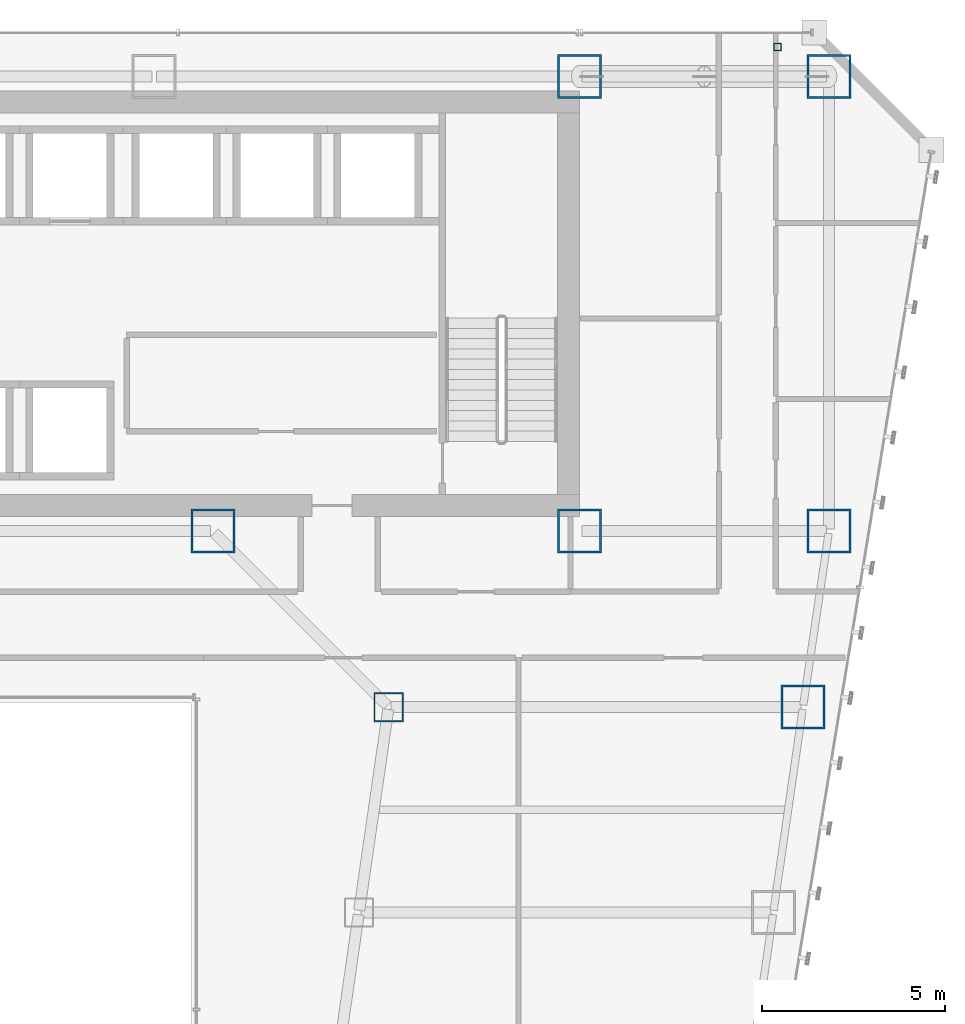
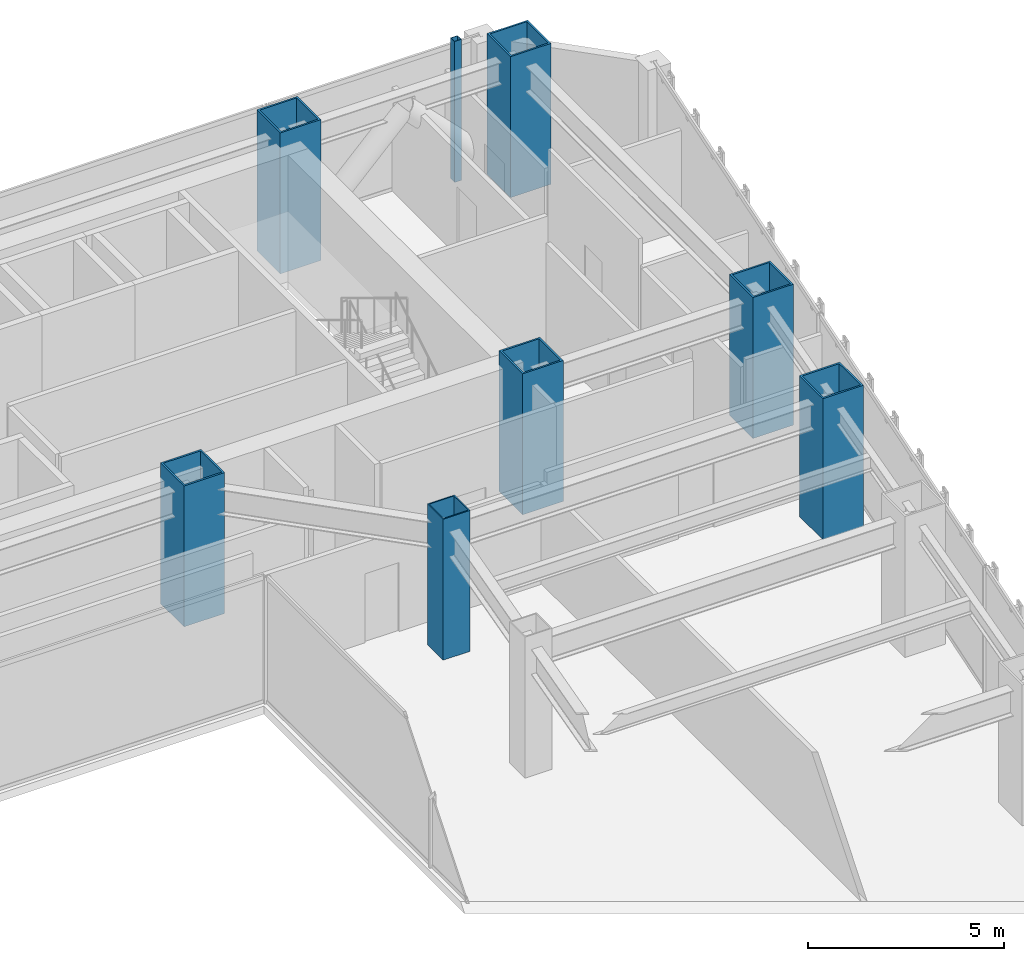
# One storey, part 3 of 47: 8 columns.
"""IFC4 building model written with IfcOpenShell, lengths in metres."""

from ifc_helpers import new_model, si_unit, direction, frame, origin, origin_2d, place, context, subcontext, project, spatial, hollow_rectangle, extrude, material, material_profile, profile_set, type_object, element, save


model = new_model("IFC4")

# Units and contexts
model_context = context("Model", 3, precision=1e-05, world=origin(), true_north=direction((0.0, 1.0)))
body_context = subcontext(model_context, "Body", "Model", "MODEL_VIEW")
ifc_project = project(units=[si_unit("LENGTHUNIT", "METRE"), si_unit("AREAUNIT", "SQUARE_METRE"), si_unit("VOLUMEUNIT", "CUBIC_METRE"), si_unit("PLANEANGLEUNIT", "RADIAN"), si_unit("MASSUNIT", "GRAM", prefix="KILO")], contexts=[model_context])

# Site, building, storey
site_placement = place(None, origin())
site = spatial("IfcSite", under=ifc_project, at=site_placement, CompositionType="ELEMENT")
building_placement = place(site_placement, origin())
building = spatial("IfcBuilding", under=site, at=building_placement, Name="Saevonmaru Cultural Tower", CompositionType="ELEMENT")
storey_placement = place(building_placement, frame((0.0, 0.0, 82.39990234375)))
storey = spatial("IfcBuildingStorey", under=building, at=storey_placement, Name="L17", CompositionType="ELEMENT", Elevation=82.39990234375)

# Columns
ifc_material_1 = material(Name="Steel HSA600 (600 MPa)", Category="steel")
ifc_material_profile_1 = material_profile(ifc_material_1, hollow_rectangle(XDim=1.199951171875, YDim=1.199951171875, WallThickness=0.054931640625, at=origin_2d()), Name="BOX-1200x1200x55")
ifc_profile_set_1 = profile_set([ifc_material_profile_1], Name="Steel HSA600 (600 MPa)")
column_type_1 = type_object("IfcColumnType", Name="COL-BOX-1200", PredefinedType="COLUMN", material=ifc_profile_set_1)
for number, where, z_axis, x_axis, name in (
    (1, (46.39990234375, 54.800048828125, 0.0), (0.0, 0.0, 1.0), (1.0, 0.0, 0.0), "L17 Column TC-N5N"),
    (2, (53.199951171875, 54.800048828125, 0.0), (0.0, 0.0, 1.0), (1.0, 0.0, 0.0), "L17 Column TC-N6N"),
    (3, (36.39990234375, 42.39990234375, 0.0), (0.0, 0.0, 1.0), (1.0, 0.0, 0.0), "L17 Column TC-S4C"),
    (4, (46.39990234375, 42.39990234375, 0.0), (0.0, 0.0, 1.0), (1.0, 0.0, 0.0), "L17 Column TC-S5C"),
    (5, (53.199951171875, 42.39990234375, 0.0), (0.0, 0.0, 1.0), (1.0, 0.0, 0.0), "L17 Column TC-S6C"),
    (6, (52.491943359375, 37.60009765625, 0.0), (0.0, 0.0, 1.0), (1.0, 0.0, 0.0), "L17 Column TC-EO-Y376"),
):
    element("IfcColumn", number, at=place(storey_placement, frame(where, z_axis=z_axis, x_axis=x_axis)), inside=storey, type_object=column_type_1, Name=name, PredefinedType="COLUMN", context=body_context, shape_type="SweptSolid", body=[
        extrude(hollow_rectangle(XDim=1.199951171875, YDim=1.199951171875, WallThickness=0.054931640625, at=origin_2d()), origin(), (0.0, 0.0, 1.0), 4.400146484375),
    ])
ifc_material_2 = material(Name="Steel SM420", Category="steel")
ifc_material_profile_2 = material_profile(ifc_material_2, hollow_rectangle(XDim=0.800048828125, YDim=0.800048828125, WallThickness=0.035888671875, at=origin_2d()), Name="BOX-800x800x36")
ifc_profile_set_2 = profile_set([ifc_material_profile_2], Name="Steel SM420")
column_type_2 = type_object("IfcColumnType", Name="COL-BOX-800", PredefinedType="COLUMN", material=ifc_profile_set_2)
column_1_placement = place(storey_placement, frame((41.19189453125, 37.60009765625, 0.0), z_axis=(0.0, 0.0, 1.0), x_axis=(1.0, 0.0, 0.0)))
element("IfcColumn", 7, at=column_1_placement, inside=storey, type_object=column_type_2, Name="L17 Column TC-EI-Y376", PredefinedType="COLUMN", context=body_context, shape_type="SweptSolid", body=[
    extrude(hollow_rectangle(XDim=0.800048828125, YDim=0.800048828125, WallThickness=0.035888671875, at=origin_2d()), origin(), (0.0, 0.0, 1.0), 4.400146484375),
])
ifc_material_3 = material(Name="Steel SM355", Category="steel")
ifc_material_profile_3 = material_profile(ifc_material_3, hollow_rectangle(XDim=0.199951171875, YDim=0.199951171875, WallThickness=0.010009765625, at=origin_2d()), Name="SHS-200x200x10")
ifc_profile_set_3 = profile_set([ifc_material_profile_3], Name="Steel SM355")
column_type_3 = type_object("IfcColumnType", Name="PIL-SHS-200", PredefinedType="PILASTER", material=ifc_profile_set_3)
column_2_placement = place(storey_placement, frame((51.800048828125, 55.60009765625, 0.0), z_axis=(0.0, 0.0, 1.0), x_axis=(1.0, 0.0, 0.0)))
element("IfcColumn", 8, at=column_2_placement, inside=storey, type_object=column_type_3, Name="L17 Art Deco Bronze-Clad Pilaster PIL-NE", PredefinedType="PILASTER", context=body_context, shape_type="SweptSolid", body=[
    extrude(hollow_rectangle(XDim=0.199951171875, YDim=0.199951171875, WallThickness=0.010009765625, at=origin_2d()), origin(), (0.0, 0.0, 1.0), 4.400146484375),
])

save(model, "model.ifc")
